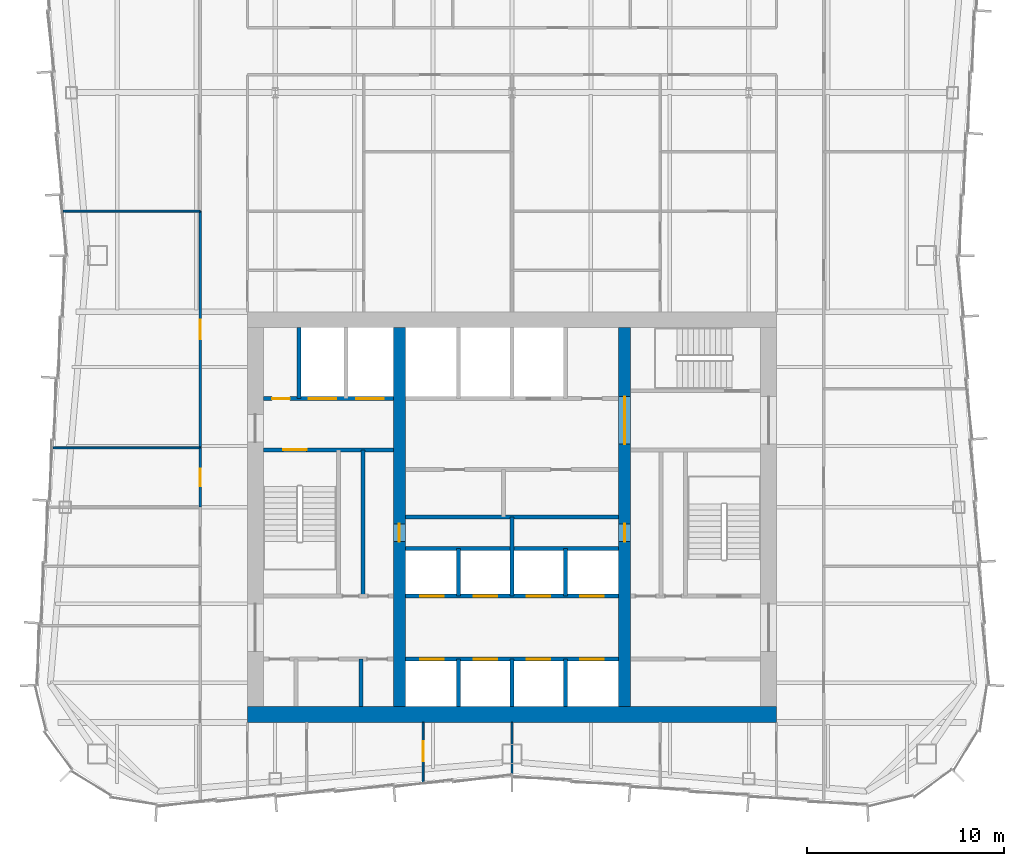
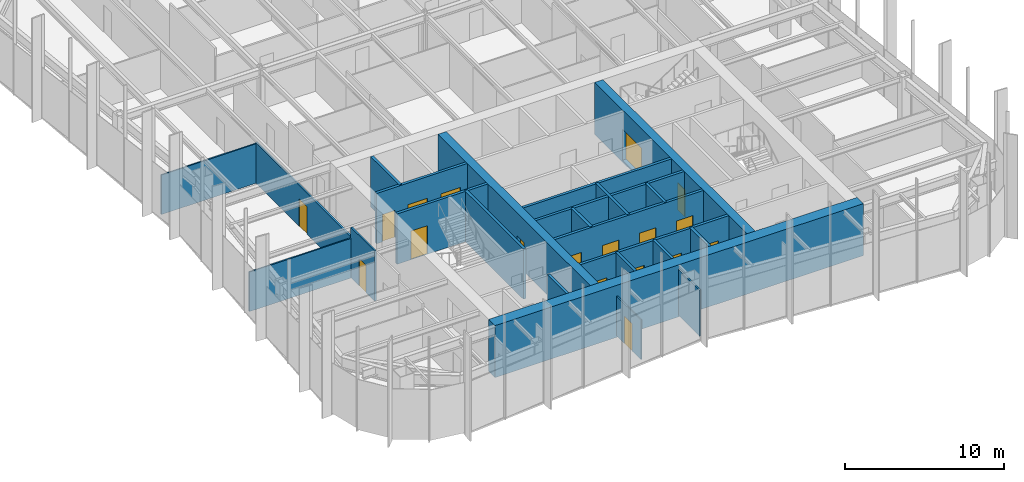
# One storey, part 11 of 15: 24 walls, 18 doors, 18 openings.
"""IFC4 building model written with IfcOpenShell, lengths in metres."""

from ifc_helpers import new_model, si_unit, direction, frame, frame_2d, origin, place, context, subcontext, project, spatial, rectangle, extrude, material, layer, layer_set, type_object, element, fill, save


model = new_model("IFC4")

# Units and contexts
model_context = context("Model", 3, precision=1e-05, world=origin(), true_north=direction((0.0, 1.0)))
body_context = subcontext(model_context, "Body", "Model", "MODEL_VIEW")
ifc_project = project(units=[si_unit("LENGTHUNIT", "METRE"), si_unit("AREAUNIT", "SQUARE_METRE"), si_unit("VOLUMEUNIT", "CUBIC_METRE"), si_unit("PLANEANGLEUNIT", "RADIAN"), si_unit("MASSUNIT", "GRAM", prefix="KILO")], contexts=[model_context])

# Site, building, storey
site_placement = place(None, origin())
site = spatial("IfcSite", under=ifc_project, at=site_placement, CompositionType="ELEMENT")
building_placement = place(site_placement, origin())
building = spatial("IfcBuilding", under=site, at=building_placement, Name="Verdant Reach Tower", CompositionType="ELEMENT")
storey_placement = place(building_placement, frame((0.0, 0.0, 274.0)))
storey = spatial("IfcBuildingStorey", under=building, at=storey_placement, Name="L63", CompositionType="ELEMENT", Elevation=274.0)

# Walls
ifc_material_1 = material(Name="Gypsum board on steel studs", Category="steel")
ifc_layer_1 = layer(ifc_material_1, 0.199951171875)
ifc_layer_set_1 = layer_set([ifc_layer_1], Name="CO-WALL-ROOM")
wall_type_1 = type_object("IfcWallType", Name="CO-WALL-ROOM", PredefinedType="PARTITIONING", material=ifc_layer_set_1)
wall_1_placement = place(storey_placement, frame((-5.39990234375, 28.0, 0.0), z_axis=(0.0, 0.0, 1.0), x_axis=(1.0, 0.0, 0.0)))
element("IfcWall", 1, at=wall_1_placement, inside=storey, type_object=wall_type_1, Name="Core partition, L63", PredefinedType="PARTITIONING", context=body_context, shape_type="SweptSolid", body=[
    extrude(rectangle(XDim=10.7998046875, YDim=0.199951171875, at=frame_2d((5.39990234375, 0.0))), origin(), (0.0, 0.0, 1.0), 3.8701171875),
])
wall_2_placement = place(storey_placement, frame((-7.64990234375, 18.39990234375, 0.0), z_axis=(0.0, 0.0, 1.0), x_axis=(0.0, 1.0, 0.0)))
element("IfcWall", 2, at=wall_2_placement, inside=storey, type_object=wall_type_1, Name="Core partition, L63", PredefinedType="PARTITIONING", context=body_context, shape_type="SweptSolid", body=[
    extrude(rectangle(XDim=2.400146484375, YDim=0.199951171875, at=frame_2d((1.2001953125, 0.0))), origin(), (0.0, 0.0, 1.0), 3.8701171875),
])
wall_3_placement = place(storey_placement, frame((-7.5400390625, 24.0, 0.0), z_axis=(0.0, 0.0, 1.0), x_axis=(0.0, 1.0, 0.0)))
element("IfcWall", 3, at=wall_3_placement, inside=storey, type_object=wall_type_1, Name="Core partition, L63", PredefinedType="PARTITIONING", context=body_context, shape_type="SweptSolid", body=[
    extrude(rectangle(XDim=7.39990234375, YDim=0.199951171875, at=frame_2d((3.699951171875, 0.0))), origin(), (0.0, 0.0, 1.0), 3.8701171875),
])

# Wall, openings, doors
ifc_material_2 = material(Name="Concrete C40/50", Category="concrete")
ifc_layer_2 = layer(ifc_material_2, 0.199951171875)
ifc_layer_set_2 = layer_set([ifc_layer_2], Name="CO-WALL-SHAFT")
wall_type_2 = type_object("IfcWallType", Name="CO-WALL-SHAFT", PredefinedType="PARTITIONING", material=ifc_layer_set_2)
wall_4_placement = place(storey_placement, frame((-5.39990234375, 20.800048828125, 0.0), z_axis=(0.0, 0.0, 1.0), x_axis=(1.0, 0.0, 0.0)))
wall_4 = element("IfcWall", 4, at=wall_4_placement, inside=storey, type_object=wall_type_2, Name="Lift shaft wall, L63", PredefinedType="PARTITIONING", context=body_context, shape_type="SweptSolid", body=[
    extrude(rectangle(XDim=10.7998046875, YDim=0.199951171875, at=frame_2d((5.39990234375, 0.0))), origin(), (0.0, 0.0, 1.0), 3.8701171875),
])
opening_1_placement = place(wall_4_placement, frame((0.75, 0.0, 0.0)))
opening_1 = element("IfcOpeningElement", 5, at=opening_1_placement, cuts=wall_4, Name="Opening LD-B1", PredefinedType="OPENING", context=body_context, shape_type="SweptSolid", body=[
    extrude(rectangle(XDim=1.199951171875, YDim=2.199951171875, at=frame_2d((0.60009765625, 1.10009765625))), frame((0.0, 0.10986328125, 0.0), z_axis=(0.0, -1.0, 0.0), x_axis=(1.0, 0.0, 0.0)), (0.0, 0.0, 1.0), 0.219970703125),
])
opening_2_placement = place(wall_4_placement, frame((3.449951171875, 0.0, 0.0)))
opening_2 = element("IfcOpeningElement", 6, at=opening_2_placement, cuts=wall_4, Name="Opening LD-B2", PredefinedType="OPENING", context=body_context, shape_type="SweptSolid", body=[
    extrude(rectangle(XDim=1.199951171875, YDim=2.199951171875, at=frame_2d((0.60009765625, 1.10009765625))), frame((0.0, 0.10986328125, 0.0), z_axis=(0.0, -1.0, 0.0), x_axis=(1.0, 0.0, 0.0)), (0.0, 0.0, 1.0), 0.219970703125),
])
opening_3_placement = place(wall_4_placement, frame((6.14990234375, 0.0, 0.0)))
opening_3 = element("IfcOpeningElement", 7, at=opening_3_placement, cuts=wall_4, Name="Opening LD-B3", PredefinedType="OPENING", context=body_context, shape_type="SweptSolid", body=[
    extrude(rectangle(XDim=1.199951171875, YDim=2.199951171875, at=frame_2d((0.60009765625, 1.10009765625))), frame((0.0, 0.10986328125, 0.0), z_axis=(0.0, -1.0, 0.0), x_axis=(1.0, 0.0, 0.0)), (0.0, 0.0, 1.0), 0.219970703125),
])
opening_4_placement = place(wall_4_placement, frame((8.85009765625, 0.0, 0.0)))
opening_4 = element("IfcOpeningElement", 8, at=opening_4_placement, cuts=wall_4, Name="Opening LD-B4", PredefinedType="OPENING", context=body_context, shape_type="SweptSolid", body=[
    extrude(rectangle(XDim=1.199951171875, YDim=2.199951171875, at=frame_2d((0.60009765625, 1.10009765625))), frame((0.0, 0.10986328125, 0.0), z_axis=(0.0, -1.0, 0.0), x_axis=(1.0, 0.0, 0.0)), (0.0, 0.0, 1.0), 0.219970703125),
])
ifc_material_3 = material(Name="Stainless steel", Category="steel")
door_type_1 = type_object("IfcDoorType", Name="CO-DOOR-LANDING", OperationType="SLIDING_TO_LEFT", PredefinedType="DOOR", material=ifc_material_3)
door_1_placement = place(opening_1_placement, origin())
door_1 = element("IfcDoor", 9, at=door_1_placement, inside=storey, type_object=door_type_1, Name="Landing door B1, L63", OperationType="SLIDING_TO_LEFT", OverallHeight=2.199951171875, OverallWidth=1.199951171875, PredefinedType="DOOR", context=body_context, shape_type="SweptSolid", body=[
    extrude(rectangle(XDim=1.199951171875, YDim=2.199951171875, at=frame_2d((0.60009765625, 1.10009765625))), frame((0.0, 0.02490234375, 0.0), z_axis=(0.0, -1.0, 0.0), x_axis=(1.0, 0.0, 0.0)), (0.0, 0.0, 1.0), 0.050048828125),
])
fill(opening_1, door_1)
door_2_placement = place(opening_2_placement, origin())
door_2 = element("IfcDoor", 10, at=door_2_placement, inside=storey, type_object=door_type_1, Name="Landing door B2, L63", OperationType="SLIDING_TO_LEFT", OverallHeight=2.199951171875, OverallWidth=1.199951171875, PredefinedType="DOOR", context=body_context, shape_type="SweptSolid", body=[
    extrude(rectangle(XDim=1.199951171875, YDim=2.199951171875, at=frame_2d((0.60009765625, 1.10009765625))), frame((0.0, 0.02490234375, 0.0), z_axis=(0.0, -1.0, 0.0), x_axis=(1.0, 0.0, 0.0)), (0.0, 0.0, 1.0), 0.050048828125),
])
fill(opening_2, door_2)
door_3_placement = place(opening_3_placement, origin())
door_3 = element("IfcDoor", 11, at=door_3_placement, inside=storey, type_object=door_type_1, Name="Landing door B3, L63", OperationType="SLIDING_TO_LEFT", OverallHeight=2.199951171875, OverallWidth=1.199951171875, PredefinedType="DOOR", context=body_context, shape_type="SweptSolid", body=[
    extrude(rectangle(XDim=1.199951171875, YDim=2.199951171875, at=frame_2d((0.60009765625, 1.10009765625))), frame((0.0, 0.02490234375, 0.0), z_axis=(0.0, -1.0, 0.0), x_axis=(1.0, 0.0, 0.0)), (0.0, 0.0, 1.0), 0.050048828125),
])
fill(opening_3, door_3)
door_4_placement = place(opening_4_placement, origin())
door_4 = element("IfcDoor", 12, at=door_4_placement, inside=storey, type_object=door_type_1, Name="Landing door B4, L63", OperationType="SLIDING_TO_LEFT", OverallHeight=2.199951171875, OverallWidth=1.199951171875, PredefinedType="DOOR", context=body_context, shape_type="SweptSolid", body=[
    extrude(rectangle(XDim=1.199951171875, YDim=2.199951171875, at=frame_2d((0.60009765625, 1.10009765625))), frame((0.0, 0.02490234375, 0.0), z_axis=(0.0, -1.0, 0.0), x_axis=(1.0, 0.0, 0.0)), (0.0, 0.0, 1.0), 0.050048828125),
])
fill(opening_4, door_4)

wall_5_placement = place(storey_placement, frame((-5.39990234375, 24.0, 0.0), z_axis=(0.0, 0.0, 1.0), x_axis=(1.0, 0.0, 0.0)))
wall_5 = element("IfcWall", 13, at=wall_5_placement, inside=storey, type_object=wall_type_2, Name="Lift shaft wall, L63", PredefinedType="PARTITIONING", context=body_context, shape_type="SweptSolid", body=[
    extrude(rectangle(XDim=10.7998046875, YDim=0.199951171875, at=frame_2d((5.39990234375, 0.0))), origin(), (0.0, 0.0, 1.0), 3.8701171875),
])
opening_5_placement = place(wall_5_placement, frame((0.75, 0.0, 0.0)))
opening_5 = element("IfcOpeningElement", 14, at=opening_5_placement, cuts=wall_5, Name="Opening LD-A5", PredefinedType="OPENING", context=body_context, shape_type="SweptSolid", body=[
    extrude(rectangle(XDim=1.199951171875, YDim=2.199951171875, at=frame_2d((0.60009765625, 1.10009765625))), frame((0.0, 0.10986328125, 0.0), z_axis=(0.0, -1.0, 0.0), x_axis=(1.0, 0.0, 0.0)), (0.0, 0.0, 1.0), 0.219970703125),
])
opening_6_placement = place(wall_5_placement, frame((3.449951171875, 0.0, 0.0)))
opening_6 = element("IfcOpeningElement", 15, at=opening_6_placement, cuts=wall_5, Name="Opening LD-A6", PredefinedType="OPENING", context=body_context, shape_type="SweptSolid", body=[
    extrude(rectangle(XDim=1.199951171875, YDim=2.199951171875, at=frame_2d((0.60009765625, 1.10009765625))), frame((0.0, 0.10986328125, 0.0), z_axis=(0.0, -1.0, 0.0), x_axis=(1.0, 0.0, 0.0)), (0.0, 0.0, 1.0), 0.219970703125),
])
opening_7_placement = place(wall_5_placement, frame((6.14990234375, 0.0, 0.0)))
opening_7 = element("IfcOpeningElement", 16, at=opening_7_placement, cuts=wall_5, Name="Opening LD-A7", PredefinedType="OPENING", context=body_context, shape_type="SweptSolid", body=[
    extrude(rectangle(XDim=1.199951171875, YDim=2.199951171875, at=frame_2d((0.60009765625, 1.10009765625))), frame((0.0, 0.10986328125, 0.0), z_axis=(0.0, -1.0, 0.0), x_axis=(1.0, 0.0, 0.0)), (0.0, 0.0, 1.0), 0.219970703125),
])
opening_8_placement = place(wall_5_placement, frame((8.85009765625, 0.0, 0.0)))
opening_8 = element("IfcOpeningElement", 17, at=opening_8_placement, cuts=wall_5, Name="Opening LD-A8", PredefinedType="OPENING", context=body_context, shape_type="SweptSolid", body=[
    extrude(rectangle(XDim=1.199951171875, YDim=2.199951171875, at=frame_2d((0.60009765625, 1.10009765625))), frame((0.0, 0.10986328125, 0.0), z_axis=(0.0, -1.0, 0.0), x_axis=(1.0, 0.0, 0.0)), (0.0, 0.0, 1.0), 0.219970703125),
])
door_5_placement = place(opening_5_placement, origin())
door_5 = element("IfcDoor", 18, at=door_5_placement, inside=storey, type_object=door_type_1, Name="Landing door A5, L63", OperationType="SLIDING_TO_LEFT", OverallHeight=2.199951171875, OverallWidth=1.199951171875, PredefinedType="DOOR", context=body_context, shape_type="SweptSolid", body=[
    extrude(rectangle(XDim=1.199951171875, YDim=2.199951171875, at=frame_2d((0.60009765625, 1.10009765625))), frame((0.0, 0.02490234375, 0.0), z_axis=(0.0, -1.0, 0.0), x_axis=(1.0, 0.0, 0.0)), (0.0, 0.0, 1.0), 0.050048828125),
])
fill(opening_5, door_5)
door_6_placement = place(opening_6_placement, origin())
door_6 = element("IfcDoor", 19, at=door_6_placement, inside=storey, type_object=door_type_1, Name="Landing door A6, L63", OperationType="SLIDING_TO_LEFT", OverallHeight=2.199951171875, OverallWidth=1.199951171875, PredefinedType="DOOR", context=body_context, shape_type="SweptSolid", body=[
    extrude(rectangle(XDim=1.199951171875, YDim=2.199951171875, at=frame_2d((0.60009765625, 1.10009765625))), frame((0.0, 0.02490234375, 0.0), z_axis=(0.0, -1.0, 0.0), x_axis=(1.0, 0.0, 0.0)), (0.0, 0.0, 1.0), 0.050048828125),
])
fill(opening_6, door_6)
door_7_placement = place(opening_7_placement, origin())
door_7 = element("IfcDoor", 20, at=door_7_placement, inside=storey, type_object=door_type_1, Name="Landing door A7, L63", OperationType="SLIDING_TO_LEFT", OverallHeight=2.199951171875, OverallWidth=1.199951171875, PredefinedType="DOOR", context=body_context, shape_type="SweptSolid", body=[
    extrude(rectangle(XDim=1.199951171875, YDim=2.199951171875, at=frame_2d((0.60009765625, 1.10009765625))), frame((0.0, 0.02490234375, 0.0), z_axis=(0.0, -1.0, 0.0), x_axis=(1.0, 0.0, 0.0)), (0.0, 0.0, 1.0), 0.050048828125),
])
fill(opening_7, door_7)
door_8_placement = place(opening_8_placement, origin())
door_8 = element("IfcDoor", 21, at=door_8_placement, inside=storey, type_object=door_type_1, Name="Landing door A8, L63", OperationType="SLIDING_TO_LEFT", OverallHeight=2.199951171875, OverallWidth=1.199951171875, PredefinedType="DOOR", context=body_context, shape_type="SweptSolid", body=[
    extrude(rectangle(XDim=1.199951171875, YDim=2.199951171875, at=frame_2d((0.60009765625, 1.10009765625))), frame((0.0, 0.02490234375, 0.0), z_axis=(0.0, -1.0, 0.0), x_axis=(1.0, 0.0, 0.0)), (0.0, 0.0, 1.0), 0.050048828125),
])
fill(opening_8, door_8)

# Wall
wall_6_placement = place(storey_placement, frame((-5.39990234375, 26.39990234375, 0.0), z_axis=(0.0, 0.0, 1.0), x_axis=(1.0, 0.0, 0.0)))
element("IfcWall", 22, at=wall_6_placement, inside=storey, type_object=wall_type_2, Name="Lift shaft wall, L63", PredefinedType="PARTITIONING", context=body_context, shape_type="SweptSolid", body=[
    extrude(rectangle(XDim=10.7998046875, YDim=0.199951171875, at=frame_2d((5.39990234375, 0.0))), origin(), (0.0, 0.0, 1.0), 3.8701171875),
])

# Wall, openings, doors
wall_7_placement = place(storey_placement, frame((-12.60009765625, 34.0, 0.0), z_axis=(0.0, 0.0, 1.0), x_axis=(1.0, 0.0, 0.0)))
wall_7 = element("IfcWall", 23, at=wall_7_placement, inside=storey, type_object=wall_type_2, Name="Lift shaft wall, L63", PredefinedType="PARTITIONING", context=body_context, shape_type="SweptSolid", body=[
    extrude(rectangle(XDim=6.60009765625, YDim=0.199951171875, at=frame_2d((3.300048828125, 0.0))), origin(), (0.0, 0.0, 1.0), 3.8701171875),
])
opening_9_placement = place(wall_7_placement, frame((4.699951171875, 0.0, 0.0)))
opening_9 = element("IfcOpeningElement", 24, at=opening_9_placement, cuts=wall_7, Name="Opening LD-F1", PredefinedType="OPENING", context=body_context, shape_type="SweptSolid", body=[
    extrude(rectangle(XDim=1.39990234375, YDim=2.199951171875, at=frame_2d((0.699951171875, 1.10009765625))), frame((0.0, 0.10986328125, 0.0), z_axis=(0.0, -1.0, 0.0), x_axis=(1.0, 0.0, 0.0)), (0.0, 0.0, 1.0), 0.219970703125),
])
opening_10_placement = place(wall_7_placement, frame((2.300048828125, 0.0, 0.0)))
opening_10 = element("IfcOpeningElement", 25, at=opening_10_placement, cuts=wall_7, Name="Opening LD-F2", PredefinedType="OPENING", context=body_context, shape_type="SweptSolid", body=[
    extrude(rectangle(XDim=1.39990234375, YDim=2.199951171875, at=frame_2d((0.699951171875, 1.10009765625))), frame((0.0, 0.10986328125, 0.0), z_axis=(0.0, -1.0, 0.0), x_axis=(1.0, 0.0, 0.0)), (0.0, 0.0, 1.0), 0.219970703125),
])
opening_11_placement = place(wall_7_placement, frame((0.449951171875, 0.0, 0.0)))
opening_11 = element("IfcOpeningElement", 26, at=opening_11_placement, cuts=wall_7, Name="Opening RD", PredefinedType="OPENING", context=body_context, shape_type="SweptSolid", body=[
    extrude(rectangle(XDim=0.89990234375, YDim=2.10009765625, at=frame_2d((0.449951171875, 1.050048828125))), frame((0.0, 0.10986328125, 0.0), z_axis=(0.0, -1.0, 0.0), x_axis=(1.0, 0.0, 0.0)), (0.0, 0.0, 1.0), 0.219970703125),
])
door_type_2 = type_object("IfcDoorType", Name="CO-DOOR-LANDING-FF", OperationType="SLIDING_TO_LEFT", PredefinedType="DOOR", material=ifc_material_3)
door_9_placement = place(opening_9_placement, origin())
door_9 = element("IfcDoor", 27, at=door_9_placement, inside=storey, type_object=door_type_2, Name="Landing door F1, L63", OperationType="SLIDING_TO_LEFT", OverallHeight=2.199951171875, OverallWidth=1.39990234375, PredefinedType="DOOR", context=body_context, shape_type="SweptSolid", body=[
    extrude(rectangle(XDim=1.39990234375, YDim=2.199951171875, at=frame_2d((0.699951171875, 1.10009765625))), frame((0.0, 0.02490234375, 0.0), z_axis=(0.0, -1.0, 0.0), x_axis=(1.0, 0.0, 0.0)), (0.0, 0.0, 1.0), 0.050048828125),
])
fill(opening_9, door_9)
door_10_placement = place(opening_10_placement, origin())
door_10 = element("IfcDoor", 28, at=door_10_placement, inside=storey, type_object=door_type_2, Name="Landing door F2, L63", OperationType="SLIDING_TO_LEFT", OverallHeight=2.199951171875, OverallWidth=1.39990234375, PredefinedType="DOOR", context=body_context, shape_type="SweptSolid", body=[
    extrude(rectangle(XDim=1.39990234375, YDim=2.199951171875, at=frame_2d((0.699951171875, 1.10009765625))), frame((0.0, 0.02490234375, 0.0), z_axis=(0.0, -1.0, 0.0), x_axis=(1.0, 0.0, 0.0)), (0.0, 0.0, 1.0), 0.050048828125),
])
fill(opening_10, door_10)
ifc_material_4 = material(Name="Steel", Category="steel")
door_type_3 = type_object("IfcDoorType", Name="CO-DOOR-RISER", OperationType="NOTDEFINED", PredefinedType="DOOR", material=ifc_material_4)
door_11_placement = place(opening_11_placement, origin())
door_11 = element("IfcDoor", 29, at=door_11_placement, inside=storey, type_object=door_type_3, Name="Core room door, L63", OperationType="SINGLE_SWING_RIGHT", OverallHeight=2.10009765625, OverallWidth=0.89990234375, PredefinedType="DOOR", context=body_context, shape_type="SweptSolid", body=[
    extrude(rectangle(XDim=0.89990234375, YDim=2.10009765625, at=frame_2d((0.449951171875, 1.050048828125))), frame((0.0, 0.02490234375, 0.0), z_axis=(0.0, -1.0, 0.0), x_axis=(1.0, 0.0, 0.0)), (0.0, 0.0, 1.0), 0.050048828125),
])
fill(opening_11, door_11)

# Walls
wall_8_placement = place(storey_placement, frame((-10.800048828125, 34.0, 0.0), z_axis=(0.0, 0.0, 1.0), x_axis=(0.0, 1.0, 0.0)))
element("IfcWall", 30, at=wall_8_placement, inside=storey, type_object=wall_type_2, Name="Lift shaft wall, L63", PredefinedType="PARTITIONING", context=body_context, shape_type="SweptSolid", body=[
    extrude(rectangle(XDim=3.60009765625, YDim=0.199951171875, at=frame_2d((1.800048828125, 0.0))), origin(), (0.0, 0.0, 1.0), 3.8701171875),
])
wall_9_placement = place(storey_placement, frame((-2.699951171875, 18.39990234375, 0.0), z_axis=(0.0, 0.0, 1.0), x_axis=(0.0, 1.0, 0.0)))
element("IfcWall", 31, at=wall_9_placement, inside=storey, type_object=wall_type_2, Name="Lift shaft wall, L63", PredefinedType="PARTITIONING", context=body_context, shape_type="SweptSolid", body=[
    extrude(rectangle(XDim=2.400146484375, YDim=0.199951171875, at=frame_2d((1.2001953125, 0.0))), origin(), (0.0, 0.0, 1.0), 3.8701171875),
])
wall_10_placement = place(storey_placement, frame((-2.699951171875, 24.0, 0.0), z_axis=(0.0, 0.0, 1.0), x_axis=(0.0, 1.0, 0.0)))
element("IfcWall", 32, at=wall_10_placement, inside=storey, type_object=wall_type_2, Name="Lift shaft wall, L63", PredefinedType="PARTITIONING", context=body_context, shape_type="SweptSolid", body=[
    extrude(rectangle(XDim=2.39990234375, YDim=0.199951171875, at=frame_2d((1.199951171875, 0.0))), origin(), (0.0, 0.0, 1.0), 3.8701171875),
])
wall_11_placement = place(storey_placement, frame((0.0, 18.39990234375, 0.0), z_axis=(0.0, 0.0, 1.0), x_axis=(0.0, 1.0, 0.0)))
element("IfcWall", 33, at=wall_11_placement, inside=storey, type_object=wall_type_2, Name="Lift shaft wall, L63", PredefinedType="PARTITIONING", context=body_context, shape_type="SweptSolid", body=[
    extrude(rectangle(XDim=2.400146484375, YDim=0.199951171875, at=frame_2d((1.2001953125, 0.0))), origin(), (0.0, 0.0, 1.0), 3.8701171875),
])
wall_12_placement = place(storey_placement, frame((0.0, 24.0, 0.0), z_axis=(0.0, 0.0, 1.0), x_axis=(0.0, 1.0, 0.0)))
element("IfcWall", 34, at=wall_12_placement, inside=storey, type_object=wall_type_2, Name="Lift shaft wall, L63", PredefinedType="PARTITIONING", context=body_context, shape_type="SweptSolid", body=[
    extrude(rectangle(XDim=4.0, YDim=0.199951171875, at=frame_2d((2.0, 0.0))), origin(), (0.0, 0.0, 1.0), 3.8701171875),
])
wall_13_placement = place(storey_placement, frame((2.699951171875, 18.39990234375, 0.0), z_axis=(0.0, 0.0, 1.0), x_axis=(0.0, 1.0, 0.0)))
element("IfcWall", 35, at=wall_13_placement, inside=storey, type_object=wall_type_2, Name="Lift shaft wall, L63", PredefinedType="PARTITIONING", context=body_context, shape_type="SweptSolid", body=[
    extrude(rectangle(XDim=2.400146484375, YDim=0.199951171875, at=frame_2d((1.2001953125, 0.0))), origin(), (0.0, 0.0, 1.0), 3.8701171875),
])
wall_14_placement = place(storey_placement, frame((2.699951171875, 24.0, 0.0), z_axis=(0.0, 0.0, 1.0), x_axis=(0.0, 1.0, 0.0)))
element("IfcWall", 36, at=wall_14_placement, inside=storey, type_object=wall_type_2, Name="Lift shaft wall, L63", PredefinedType="PARTITIONING", context=body_context, shape_type="SweptSolid", body=[
    extrude(rectangle(XDim=2.39990234375, YDim=0.199951171875, at=frame_2d((1.199951171875, 0.0))), origin(), (0.0, 0.0, 1.0), 3.8701171875),
])

# Wall, opening, door
ifc_layer_3 = layer(ifc_material_2, 0.199951171875)
ifc_layer_set_3 = layer_set([ifc_layer_3], Name="CO-WALL-STAIR")
wall_type_3 = type_object("IfcWallType", Name="CO-WALL-STAIR", PredefinedType="PARTITIONING", material=ifc_layer_set_3)
wall_15_placement = place(storey_placement, frame((-12.60009765625, 31.39990234375, 0.0), z_axis=(0.0, 0.0, 1.0), x_axis=(1.0, 0.0, 0.0)))
wall_15 = element("IfcWall", 37, at=wall_15_placement, inside=storey, type_object=wall_type_3, Name="Stair enclosure wall, L63", PredefinedType="PARTITIONING", context=body_context, shape_type="SweptSolid", body=[
    extrude(rectangle(XDim=6.60009765625, YDim=0.199951171875, at=frame_2d((3.300048828125, 0.0))), origin(), (0.0, 0.0, 1.0), 3.8701171875),
])
opening_12_placement = place(wall_15_placement, frame((1.0, 0.0, 0.0)))
opening_12 = element("IfcOpeningElement", 38, at=opening_12_placement, cuts=wall_15, Name="Opening SD", PredefinedType="OPENING", context=body_context, shape_type="SweptSolid", body=[
    extrude(rectangle(XDim=1.199951171875, YDim=2.199951171875, at=frame_2d((0.60009765625, 1.10009765625))), frame((0.0, 0.10986328125, 0.0), z_axis=(0.0, -1.0, 0.0), x_axis=(1.0, 0.0, 0.0)), (0.0, 0.0, 1.0), 0.219970703125),
])
door_type_4 = type_object("IfcDoorType", Name="CO-DOOR-STAIR", OperationType="NOTDEFINED", PredefinedType="DOOR", material=ifc_material_4)
door_12_placement = place(opening_12_placement, origin())
door_12 = element("IfcDoor", 39, at=door_12_placement, inside=storey, type_object=door_type_4, Name="Stair door, L63", OperationType="SINGLE_SWING_LEFT", OverallHeight=2.199951171875, OverallWidth=1.199951171875, PredefinedType="DOOR", context=body_context, shape_type="SweptSolid", body=[
    extrude(rectangle(XDim=1.199951171875, YDim=2.199951171875, at=frame_2d((0.60009765625, 1.10009765625))), frame((0.0, 0.02490234375, 0.0), z_axis=(0.0, -1.0, 0.0), x_axis=(1.0, 0.0, 0.0)), (0.0, 0.0, 1.0), 0.050048828125),
])
fill(opening_12, door_12)

# Walls
ifc_layer_4 = layer(ifc_material_1, 0.10009765625)
ifc_layer_set_4 = layer_set([ifc_layer_4], Name="FL-W1 Partition 100")
wall_type_4 = type_object("IfcWallType", Name="FL-W1 Partition 100", PredefinedType="PARTITIONING", material=ifc_layer_set_4)
wall_16_placement = place(storey_placement, frame((-15.800048828125, 31.5, 0.0), z_axis=(0.0, 0.0, 1.0), x_axis=(-1.0, 0.0, 0.0)))
element("IfcWall", 40, at=wall_16_placement, inside=storey, type_object=wall_type_4, Name="Partition 63.36", PredefinedType="PARTITIONING", context=body_context, shape_type="SweptSolid", body=[
    extrude(rectangle(XDim=7.452392578125, YDim=0.10009765625, at=frame_2d((3.72607421875, 0.0))), origin(), (0.0, 0.0, 1.0), 3.0400390625),
])
wall_17_placement = place(storey_placement, frame((-15.800048828125, 43.5, 0.0), z_axis=(0.0, 0.0, 1.0), x_axis=(-1.0, 0.0, 0.0)))
element("IfcWall", 41, at=wall_17_placement, inside=storey, type_object=wall_type_4, Name="Partition 63.37", PredefinedType="PARTITIONING", context=body_context, shape_type="SweptSolid", body=[
    extrude(rectangle(XDim=6.93505859375, YDim=0.10009765625, at=frame_2d((3.467529296875, 0.0))), origin(), (0.0, 0.0, 1.0), 3.0400390625),
])

# Wall, opening, door
wall_18_placement = place(storey_placement, frame((-4.5, 17.60009765625, 0.0), z_axis=(0.0, 0.0, 1.0), x_axis=(0.0, -1.0, 0.0)))
wall_18 = element("IfcWall", 42, at=wall_18_placement, inside=storey, type_object=wall_type_4, Name="Partition 63.44", PredefinedType="PARTITIONING", context=body_context, shape_type="SweptSolid", body=[
    extrude(rectangle(XDim=3.05517578125, YDim=0.10009765625, at=frame_2d((1.527587890625, 0.0))), origin(), (0.0, 0.0, 1.0), 3.0400390625),
])
opening_13_placement = place(wall_18_placement, frame((0.96240234375, 0.0, 0.0)))
opening_13 = element("IfcOpeningElement", 43, at=opening_13_placement, cuts=wall_18, Name="Opening D3", PredefinedType="OPENING", context=body_context, shape_type="SweptSolid", body=[
    extrude(rectangle(XDim=1.0, YDim=2.10009765625, at=frame_2d((0.5, 1.050048828125))), frame((0.0, 0.06005859375, 0.0), z_axis=(0.0, -1.0, 0.0), x_axis=(1.0, 0.0, 0.0)), (0.0, 0.0, 1.0), 0.1201171875),
])
ifc_material_5 = material(Name="Painted timber door leaf", Category="wood")
door_type_5 = type_object("IfcDoorType", Name="FL-D3 Door 1000x2100", OperationType="NOTDEFINED", PredefinedType="DOOR", material=ifc_material_5)
door_13_placement = place(opening_13_placement, origin())
door_13 = element("IfcDoor", 44, at=door_13_placement, inside=storey, type_object=door_type_5, Name="Door 63-027", OperationType="SINGLE_SWING_LEFT", OverallHeight=2.10009765625, OverallWidth=1.0, PredefinedType="DOOR", context=body_context, shape_type="SweptSolid", body=[
    extrude(rectangle(XDim=1.0, YDim=2.10009765625, at=frame_2d((0.5, 1.050048828125))), frame((0.0, 0.02490234375, 0.0), z_axis=(0.0, -1.0, 0.0), x_axis=(1.0, 0.0, 0.0)), (0.0, 0.0, 1.0), 0.050048828125),
])
fill(opening_13, door_13)

# Wall
wall_19_placement = place(storey_placement, frame((0.0, 14.919921875, 0.0), z_axis=(0.0, 0.0, 1.0), x_axis=(0.0, 1.0, 0.0)))
element("IfcWall", 45, at=wall_19_placement, inside=storey, type_object=wall_type_4, Name="Partition 63.45", PredefinedType="PARTITIONING", context=body_context, shape_type="SweptSolid", body=[
    extrude(rectangle(XDim=2.68017578125, YDim=0.10009765625, at=frame_2d((1.340087890625, 0.0))), origin(), (0.0, 0.0, 1.0), 3.5400390625),
])

# Wall, opening, door
ifc_material_6 = material(Name="Gypsum board on steel studs, fire rated", Category="steel")
ifc_layer_5 = layer(ifc_material_6, 0.125)
ifc_layer_set_5 = layer_set([ifc_layer_5], Name="FL-W2 Corridor wall 125")
wall_type_5 = type_object("IfcWallType", Name="FL-W2 Corridor wall 125", PredefinedType="PARTITIONING", material=ifc_layer_set_5)
wall_20_placement = place(storey_placement, frame((-15.800048828125, 28.5, 0.0), z_axis=(0.0, 0.0, 1.0), x_axis=(0.0, 1.0, 0.0)))
wall_20 = element("IfcWall", 46, at=wall_20_placement, inside=storey, type_object=wall_type_5, Name="Partition 63.04", PredefinedType="PARTITIONING", context=body_context, shape_type="SweptSolid", body=[
    extrude(rectangle(XDim=3.0, YDim=0.125, at=frame_2d((1.5, 0.0))), origin(), (0.0, 0.0, 1.0), 3.8701171875),
])
opening_14_placement = place(wall_20_placement, frame((1.050048828125, 0.0, 0.0)))
opening_14 = element("IfcOpeningElement", 47, at=opening_14_placement, cuts=wall_20, Name="Opening D1", PredefinedType="OPENING", context=body_context, shape_type="SweptSolid", body=[
    extrude(rectangle(XDim=0.89990234375, YDim=2.10009765625, at=frame_2d((0.449951171875, 1.050048828125))), frame((0.0, 0.072509765625, 0.0), z_axis=(0.0, -1.0, 0.0), x_axis=(1.0, 0.0, 0.0)), (0.0, 0.0, 1.0), 0.14501953125),
])
door_type_6 = type_object("IfcDoorType", Name="FL-D1 Door 900x2100", OperationType="NOTDEFINED", PredefinedType="DOOR", material=ifc_material_5)
door_14_placement = place(opening_14_placement, origin())
door_14 = element("IfcDoor", 48, at=door_14_placement, inside=storey, type_object=door_type_6, Name="Door 63-004", OperationType="SINGLE_SWING_RIGHT", OverallHeight=2.10009765625, OverallWidth=0.89990234375, PredefinedType="DOOR", context=body_context, shape_type="SweptSolid", body=[
    extrude(rectangle(XDim=0.89990234375, YDim=2.10009765625, at=frame_2d((0.449951171875, 1.050048828125))), frame((0.0, 0.02490234375, 0.0), z_axis=(0.0, -1.0, 0.0), x_axis=(1.0, 0.0, 0.0)), (0.0, 0.0, 1.0), 0.050048828125),
])
fill(opening_14, door_14)

wall_21_placement = place(storey_placement, frame((-15.800048828125, 31.5, 0.0), z_axis=(0.0, 0.0, 1.0), x_axis=(0.0, 1.0, 0.0)))
wall_21 = element("IfcWall", 49, at=wall_21_placement, inside=storey, type_object=wall_type_5, Name="Partition 63.05", PredefinedType="PARTITIONING", context=body_context, shape_type="SweptSolid", body=[
    extrude(rectangle(XDim=12.0, YDim=0.125, at=frame_2d((6.0, 0.0))), origin(), (0.0, 0.0, 1.0), 3.139892578125),
])
opening_15_placement = place(wall_21_placement, frame((5.5, 0.0, 0.0)))
opening_15 = element("IfcOpeningElement", 50, at=opening_15_placement, cuts=wall_21, Name="Opening D2", PredefinedType="OPENING", context=body_context, shape_type="SweptSolid", body=[
    extrude(rectangle(XDim=1.0, YDim=2.10009765625, at=frame_2d((0.5, 1.050048828125))), frame((0.0, 0.072509765625, 0.0), z_axis=(0.0, -1.0, 0.0), x_axis=(1.0, 0.0, 0.0)), (0.0, 0.0, 1.0), 0.14501953125),
])
ifc_material_7 = material(Name="Timber door leaf, fire rated", Category="wood")
door_type_7 = type_object("IfcDoorType", Name="FL-D2 Entrance door 1000x2100 FD30", OperationType="NOTDEFINED", PredefinedType="DOOR", material=ifc_material_7)
door_15_placement = place(opening_15_placement, origin())
door_15 = element("IfcDoor", 51, at=door_15_placement, inside=storey, type_object=door_type_7, Name="Door 63-005", OperationType="SINGLE_SWING_LEFT", OverallHeight=2.10009765625, OverallWidth=1.0, PredefinedType="DOOR", context=body_context, shape_type="SweptSolid", body=[
    extrude(rectangle(XDim=1.0, YDim=2.10009765625, at=frame_2d((0.5, 1.050048828125))), frame((0.0, 0.02490234375, 0.0), z_axis=(0.0, -1.0, 0.0), x_axis=(1.0, 0.0, 0.0)), (0.0, 0.0, 1.0), 0.050048828125),
])
fill(opening_15, door_15)

ifc_material_8 = material(Name="Concrete C70/85", Category="concrete")
ifc_layer_6 = layer(ifc_material_8, 0.60009765625)
ifc_layer_set_6 = layer_set([ifc_layer_6], Name="ST-CORE-WALL-600")
wall_type_6 = type_object("IfcWallType", Name="ST-CORE-WALL-600", PredefinedType="SHEAR", material=ifc_layer_set_6)
wall_22_placement = place(storey_placement, frame((-5.699951171875, 18.39990234375, -0.1298828125), z_axis=(0.0, 0.0, 1.0), x_axis=(0.0, 1.0, 0.0)))
wall_22 = element("IfcWall", 52, at=wall_22_placement, inside=storey, type_object=wall_type_6, Name="Core wall XW, L63", PredefinedType="SHEAR", context=body_context, shape_type="SweptSolid", body=[
    extrude(rectangle(XDim=19.2001953125, YDim=0.60009765625, at=frame_2d((9.60009765625, 0.0))), origin(), (0.0, 0.0, 1.0), 4.0),
])
opening_16_placement = place(wall_22_placement, frame((8.35009765625, 0.0, 0.1298828125)))
opening_16 = element("IfcOpeningElement", 53, at=opening_16_placement, cuts=wall_22, Name="Opening RD", PredefinedType="OPENING", context=body_context, shape_type="SweptSolid", body=[
    extrude(rectangle(XDim=0.89990234375, YDim=2.10009765625, at=frame_2d((0.449951171875, 1.050048828125))), frame((0.0, 0.31005859375, 0.0), z_axis=(0.0, -1.0, 0.0), x_axis=(1.0, 0.0, 0.0)), (0.0, 0.0, 1.0), 0.6201171875),
])
door_16_placement = place(opening_16_placement, origin())
door_16 = element("IfcDoor", 54, at=door_16_placement, inside=storey, type_object=door_type_3, Name="Riser door, L63", OperationType="SINGLE_SWING_RIGHT", OverallHeight=2.10009765625, OverallWidth=0.89990234375, PredefinedType="DOOR", context=body_context, shape_type="SweptSolid", body=[
    extrude(rectangle(XDim=0.89990234375, YDim=2.10009765625, at=frame_2d((0.449951171875, 1.050048828125))), frame((0.0, 0.02490234375, 0.0), z_axis=(0.0, -1.0, 0.0), x_axis=(1.0, 0.0, 0.0)), (0.0, 0.0, 1.0), 0.050048828125),
])
fill(opening_16, door_16)

# Wall, openings, doors
wall_23_placement = place(storey_placement, frame((5.699951171875, 18.39990234375, -0.1298828125), z_axis=(0.0, 0.0, 1.0), x_axis=(0.0, 1.0, 0.0)))
wall_23 = element("IfcWall", 55, at=wall_23_placement, inside=storey, type_object=wall_type_6, Name="Core wall XE, L63", PredefinedType="SHEAR", context=body_context, shape_type="SweptSolid", body=[
    extrude(rectangle(XDim=19.2001953125, YDim=0.60009765625, at=frame_2d((9.60009765625, 0.0))), origin(), (0.0, 0.0, 1.0), 4.0),
])
opening_17_placement = place(wall_23_placement, frame((8.35009765625, 0.0, 0.1298828125)))
opening_17 = element("IfcOpeningElement", 56, at=opening_17_placement, cuts=wall_23, Name="Opening RD", PredefinedType="OPENING", context=body_context, shape_type="SweptSolid", body=[
    extrude(rectangle(XDim=0.89990234375, YDim=2.10009765625, at=frame_2d((0.449951171875, 1.050048828125))), frame((0.0, 0.31005859375, 0.0), z_axis=(0.0, -1.0, 0.0), x_axis=(1.0, 0.0, 0.0)), (0.0, 0.0, 1.0), 0.6201171875),
])
opening_18_placement = place(wall_23_placement, frame((13.300048828125, 0.0, 0.1298828125)))
opening_18 = element("IfcOpeningElement", 57, at=opening_18_placement, cuts=wall_23, Name="Opening LB", PredefinedType="OPENING", context=body_context, shape_type="SweptSolid", body=[
    extrude(rectangle(XDim=2.39990234375, YDim=2.39990234375, at=frame_2d((1.199951171875, 1.199951171875))), frame((0.0, 0.31005859375, 0.0), z_axis=(0.0, -1.0, 0.0), x_axis=(1.0, 0.0, 0.0)), (0.0, 0.0, 1.0), 0.6201171875),
])
ifc_material_9 = material(Name="Glass and steel", Category="steel")
door_type_8 = type_object("IfcDoorType", Name="CO-DOOR-LOBBY", OperationType="DOUBLE_DOOR_SINGLE_SWING", PredefinedType="DOOR", material=ifc_material_9)
door_17_placement = place(opening_18_placement, origin())
door_17 = element("IfcDoor", 58, at=door_17_placement, inside=storey, type_object=door_type_8, Name="Core entrance door, L63", OperationType="DOUBLE_DOOR_SINGLE_SWING", OverallHeight=2.39990234375, OverallWidth=2.39990234375, PredefinedType="DOOR", context=body_context, shape_type="SweptSolid", body=[
    extrude(rectangle(XDim=2.39990234375, YDim=2.39990234375, at=frame_2d((1.199951171875, 1.199951171875))), frame((0.0, 0.02490234375, 0.0), z_axis=(0.0, -1.0, 0.0), x_axis=(1.0, 0.0, 0.0)), (0.0, 0.0, 1.0), 0.050048828125),
])
fill(opening_18, door_17)
door_18_placement = place(opening_17_placement, origin())
door_18 = element("IfcDoor", 59, at=door_18_placement, inside=storey, type_object=door_type_3, Name="Riser door, L63", OperationType="SINGLE_SWING_LEFT", OverallHeight=2.10009765625, OverallWidth=0.89990234375, PredefinedType="DOOR", context=body_context, shape_type="SweptSolid", body=[
    extrude(rectangle(XDim=0.89990234375, YDim=2.10009765625, at=frame_2d((0.449951171875, 1.050048828125))), frame((0.0, 0.02490234375, 0.0), z_axis=(0.0, -1.0, 0.0), x_axis=(1.0, 0.0, 0.0)), (0.0, 0.0, 1.0), 0.050048828125),
])
fill(opening_17, door_18)

# Wall
ifc_layer_7 = layer(ifc_material_8, 0.800048828125)
ifc_layer_set_7 = layer_set([ifc_layer_7], Name="ST-CORE-WALL-800")
wall_type_7 = type_object("IfcWallType", Name="ST-CORE-WALL-800", PredefinedType="SHEAR", material=ifc_layer_set_7)
wall_24_placement = place(storey_placement, frame((-13.39990234375, 18.0, -0.1298828125), z_axis=(0.0, 0.0, 1.0), x_axis=(1.0, 0.0, 0.0)))
element("IfcWall", 60, at=wall_24_placement, inside=storey, type_object=wall_type_7, Name="Core wall S, L63", PredefinedType="SHEAR", context=body_context, shape_type="SweptSolid", body=[
    extrude(rectangle(XDim=26.7998046875, YDim=0.800048828125, at=frame_2d((13.39990234375, 0.0))), origin(), (0.0, 0.0, 1.0), 4.0),
])

save(model, "model.ifc")
